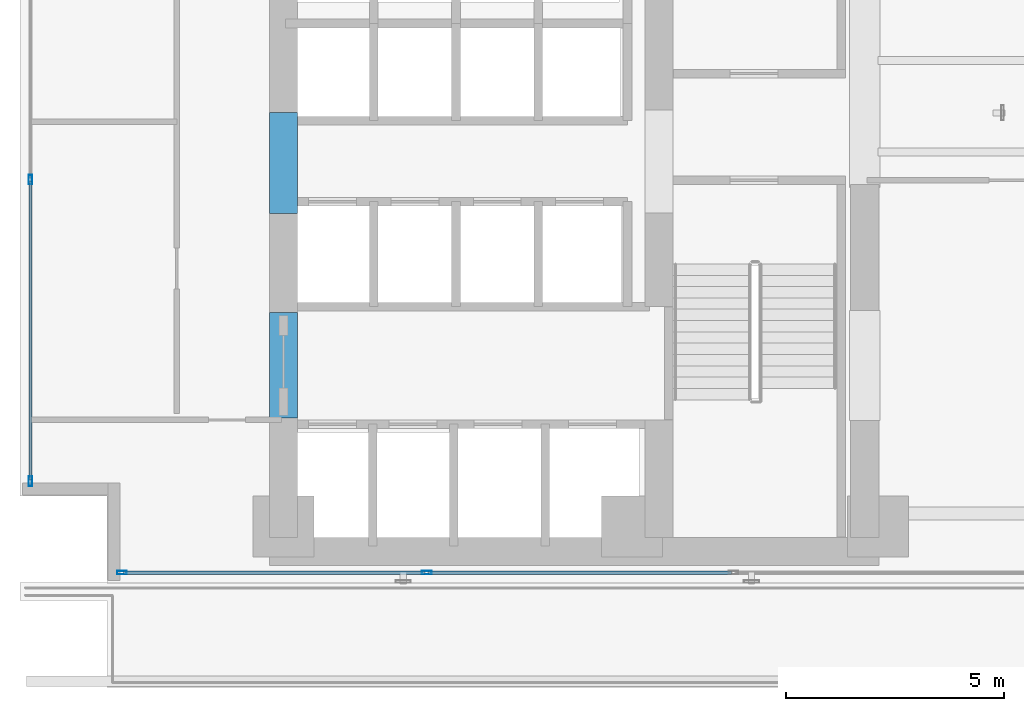
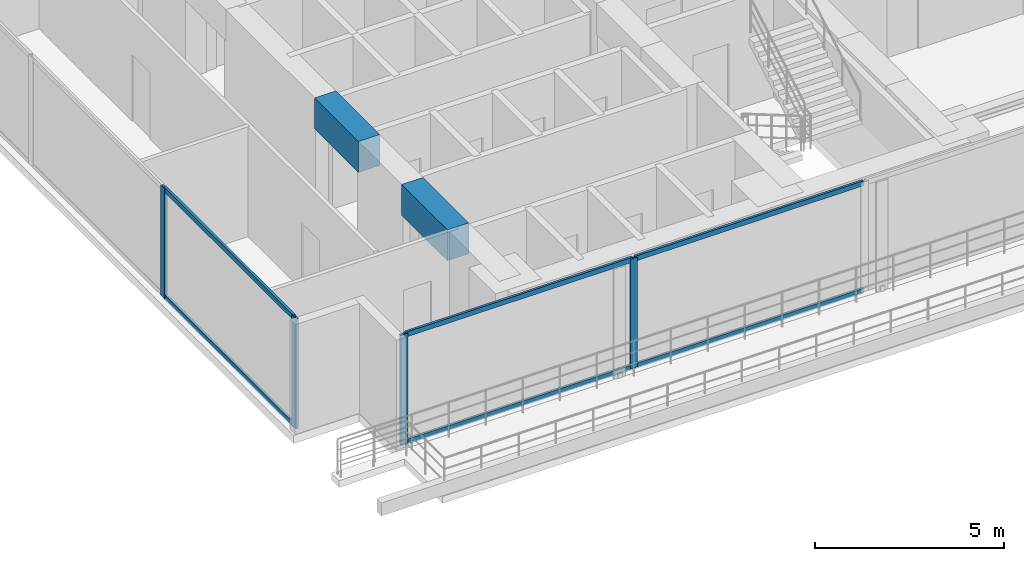
# One storey, part 2 of 26: 10 members, 2 beams, 2 elements without a shape of their own.
"""IFC4 building model written with IfcOpenShell, lengths in metres."""

from ifc_helpers import new_model, si_unit, direction, frame, origin, origin_with_axes, origin_2d, place, context, subcontext, project, spatial, rectangle, hollow_rectangle, extrude, source, transform, mapped, material, layer, layer_set, material_profile, profile_set, type_object, element, aggregate, save


model = new_model("IFC4")

# Units and contexts
model_context = context("Model", 3, precision=1e-05, world=origin(), true_north=direction((0.0, 1.0)))
body_context = subcontext(model_context, "Body", "Model", "MODEL_VIEW")
ifc_project = project(units=[si_unit("LENGTHUNIT", "METRE"), si_unit("AREAUNIT", "SQUARE_METRE"), si_unit("VOLUMEUNIT", "CUBIC_METRE"), si_unit("PLANEANGLEUNIT", "RADIAN"), si_unit("MASSUNIT", "GRAM", prefix="KILO")], contexts=[model_context])

# Site, building, storey
site_placement = place(None, origin())
site = spatial("IfcSite", under=ifc_project, at=site_placement, CompositionType="ELEMENT")
building_placement = place(site_placement, origin())
building = spatial("IfcBuilding", under=site, at=building_placement, Name="Kolvaren Waterfront Exchange", CompositionType="ELEMENT")
storey_placement = place(building_placement, frame((0.0, 0.0, 87.89990234375)))
storey = spatial("IfcBuildingStorey", under=building, at=storey_placement, Name="L22", CompositionType="ELEMENT", Elevation=87.89990234375)

# Beams
ifc_material_1 = material(Name="Concrete C60/75", Category="concrete")
ifc_material_profile_1 = material_profile(ifc_material_1, rectangle(XDim=0.64990234375, YDim=1.0, at=origin_2d()), Name="RC-CB-1000x650")
ifc_profile_set_1 = profile_set([ifc_material_profile_1], Name="Concrete C60/75")
beam_type = type_object("IfcBeamType", Name="STR-CB-1000", PredefinedType="SPANDREL", material=ifc_profile_set_1)
beam_1_placement = place(storey_placement, frame((7.449951171875, 7.389892578125, 3.0400390625), z_axis=(0.0, 1.0, 0.0), x_axis=(-1.0, 0.0, 0.0)))
element("IfcBeam", 1, at=beam_1_placement, inside=storey, type_object=beam_type, Name="L22 core coupling beam 3", PredefinedType="SPANDREL", context=body_context, shape_type="SweptSolid", body=[
    extrude(rectangle(XDim=0.64990234375, YDim=1.0, at=origin_2d()), origin(), (0.0, 0.0, 1.0), 2.420166015625),
])
beam_2_placement = place(storey_placement, frame((7.449951171875, 12.090087890625, 3.0400390625), z_axis=(0.0, 1.0, 0.0), x_axis=(-1.0, 0.0, 0.0)))
element("IfcBeam", 2, at=beam_2_placement, inside=storey, type_object=beam_type, Name="L22 core coupling beam 4", PredefinedType="SPANDREL", context=body_context, shape_type="SweptSolid", body=[
    extrude(rectangle(XDim=0.64990234375, YDim=1.0, at=origin_2d()), origin(), (0.0, 0.0, 1.0), 2.31982421875),
])

# Curtain wall, members
ifc_material_2 = material(Name="Anodised bronze aluminium 6063-T6", Category="aluminium")
ifc_layer_1 = layer(ifc_material_2, 0.219970703125, Name="Anodised bronze aluminium 6063-T6")
ifc_layer_set_1 = layer_set([ifc_layer_1], Name="Anodised bronze aluminium 6063-T6")
curtain_wall_type_1 = type_object("IfcCurtainWallType", Name="ARC-CW-SYS1", PredefinedType="USERDEFINED", material=ifc_layer_set_1)
curtain_wall_1_placement = place(storey_placement, origin())
curtain_wall_1 = element("IfcCurtainWall", 3, at=curtain_wall_1_placement, inside=storey, type_object=curtain_wall_type_1, Name="L22 stick curtain wall CW1 (CW-L22-S-1)", ObjectType="STICK CURTAIN WALL", PredefinedType="USERDEFINED")
ifc_material_3 = material(Name="Anodised aluminium 6063-T6", Category="aluminium")
ifc_material_profile_2 = material_profile(ifc_material_3, hollow_rectangle(XDim=0.080078125, YDim=0.219970703125, WallThickness=0.0048828125, at=origin_2d()), Name="ALU-MUL-220x80x5")
ifc_profile_set_2 = profile_set([ifc_material_profile_2], Name="Anodised aluminium 6063-T6")
member_type_1 = type_object("IfcMemberType", Name="ARC-CWM-220", PredefinedType="MULLION", material=ifc_profile_set_2)
shared_shape_1 = source(origin_with_axes(), body_context, "Body", "SweptSolid", [
    extrude(hollow_rectangle(XDim=0.080078125, YDim=0.219970703125, WallThickness=0.0048828125, at=origin_2d()), origin(), (0.0, 0.0, 1.0), 3.5400390625),
])
member_1_placement = place(storey_placement, frame((3.739990234375, 3.840087890625, 0.0), z_axis=(0.0, 0.0, 1.0), x_axis=(0.0, 1.0, 0.0)))
member_1 = element("IfcMember", 4, at=member_1_placement, type_object=member_type_1, Name="CW1 mullion 1", PredefinedType="MULLION", context=body_context, shape_type="MappedRepresentation", body=[
    mapped(shared_shape_1, transform((0.0, 0.0, 0.0), x_axis=(1.0, 0.0, 0.0), y_axis=(0.0, 1.0, 0.0), z_axis=(0.0, 0.0, 1.0), scale=1.0)),
])
member_2_placement = place(storey_placement, frame((10.739990234375, 3.840087890625, 0.0), z_axis=(0.0, 0.0, 1.0), x_axis=(0.0, 1.0, 0.0)))
member_2 = element("IfcMember", 5, at=member_2_placement, type_object=member_type_1, Name="CW1 mullion 2", PredefinedType="MULLION", context=body_context, shape_type="MappedRepresentation", body=[
    mapped(shared_shape_1, transform((0.0, 0.0, 0.0), x_axis=(1.0, 0.0, 0.0), y_axis=(0.0, 1.0, 0.0), z_axis=(0.0, 0.0, 1.0), scale=1.0)),
])

ifc_layer_2 = layer(ifc_material_3, 0.219970703125, Name="Anodised aluminium 6063-T6")
ifc_layer_set_2 = layer_set([ifc_layer_2], Name="Anodised aluminium 6063-T6")
curtain_wall_type_2 = type_object("IfcCurtainWallType", Name="ARC-CW-SYS2", PredefinedType="USERDEFINED", material=ifc_layer_set_2)
curtain_wall_2_placement = place(storey_placement, origin())
curtain_wall_2 = element("IfcCurtainWall", 6, at=curtain_wall_2_placement, inside=storey, type_object=curtain_wall_type_2, Name="L22 stick curtain wall CW2 (CW-L22-W)", ObjectType="STICK CURTAIN WALL", PredefinedType="USERDEFINED")
member_3_placement = place(storey_placement, frame((1.639892578125, 5.93994140625, 0.0), z_axis=(0.0, 0.0, 1.0), x_axis=(-1.0, 0.0, 0.0)))
member_3 = element("IfcMember", 7, at=member_3_placement, type_object=member_type_1, Name="CW2 mullion 1", PredefinedType="MULLION", context=body_context, shape_type="MappedRepresentation", body=[
    mapped(shared_shape_1, transform((0.0, 0.0, 0.0), x_axis=(1.0, 0.0, 0.0), y_axis=(0.0, 1.0, 0.0), z_axis=(0.0, 0.0, 1.0), scale=1.0)),
])
member_4_placement = place(storey_placement, frame((1.639892578125, 12.86669921875, 0.0), z_axis=(0.0, 0.0, 1.0), x_axis=(-1.0, 0.0, 0.0)))
member_4 = element("IfcMember", 8, at=member_4_placement, type_object=member_type_1, Name="CW2 mullion 2", PredefinedType="MULLION", context=body_context, shape_type="MappedRepresentation", body=[
    mapped(shared_shape_1, transform((0.0, 0.0, 0.0), x_axis=(1.0, 0.0, 0.0), y_axis=(0.0, 1.0, 0.0), z_axis=(0.0, 0.0, 1.0), scale=1.0)),
])

# Member
ifc_material_profile_3 = material_profile(ifc_material_3, hollow_rectangle(XDim=0.074951171875, YDim=0.159912109375, WallThickness=0.00439453125, at=origin_2d()), Name="ALU-TRN-160x75x4.5")
ifc_profile_set_3 = profile_set([ifc_material_profile_3], Name="Anodised aluminium 6063-T6")
member_type_2 = type_object("IfcMemberType", Name="ARC-CWT-160", PredefinedType="USERDEFINED", material=ifc_profile_set_3)
shared_shape_2 = source(origin_with_axes(), body_context, "Body", "SweptSolid", [
    extrude(hollow_rectangle(XDim=0.074951171875, YDim=0.159912109375, WallThickness=0.00439453125, at=origin_2d()), origin(), (0.0, 0.0, 1.0), 6.919921875),
])
member_5_placement = place(storey_placement, frame((3.780029296875, 3.840087890625, 0.03759765625), z_axis=(1.0, 0.0, 0.0), x_axis=(0.0, 1.0, 0.0)))
member_5 = element("IfcMember", 9, at=member_5_placement, type_object=member_type_2, Name="CW1 transom 1.1", ObjectType="TRANSOM", PredefinedType="USERDEFINED", context=body_context, shape_type="MappedRepresentation", body=[
    mapped(shared_shape_2, transform((0.0, 0.0, 0.0), x_axis=(1.0, 0.0, 0.0), y_axis=(0.0, 1.0, 0.0), z_axis=(0.0, 0.0, 1.0), scale=1.0)),
])

member_6_placement = place(storey_placement, frame((3.780029296875, 3.840087890625, 3.502685546875), z_axis=(1.0, 0.0, 0.0), x_axis=(0.0, 1.0, 0.0)))
member_6 = element("IfcMember", 10, at=member_6_placement, type_object=member_type_2, Name="CW1 transom 1.2", ObjectType="TRANSOM", PredefinedType="USERDEFINED", context=body_context, shape_type="MappedRepresentation", body=[
    mapped(shared_shape_2, transform((0.0, 0.0, 0.0), x_axis=(1.0, 0.0, 0.0), y_axis=(0.0, 1.0, 0.0), z_axis=(0.0, 0.0, 1.0), scale=1.0)),
])

shared_shape_3 = source(origin_with_axes(), body_context, "Body", "SweptSolid", [
    extrude(hollow_rectangle(XDim=0.074951171875, YDim=0.159912109375, WallThickness=0.00439453125, at=origin_2d()), origin(), (0.0, 0.0, 1.0), 6.9599609375),
])
member_7_placement = place(storey_placement, frame((10.780029296875, 3.840087890625, 0.03759765625), z_axis=(1.0, 0.0, 0.0), x_axis=(0.0, 1.0, 0.0)))
member_7 = element("IfcMember", 11, at=member_7_placement, type_object=member_type_2, Name="CW1 transom 2.1", ObjectType="TRANSOM", PredefinedType="USERDEFINED", context=body_context, shape_type="MappedRepresentation", body=[
    mapped(shared_shape_3, transform((0.0, 0.0, 0.0), x_axis=(1.0, 0.0, 0.0), y_axis=(0.0, 1.0, 0.0), z_axis=(0.0, 0.0, 1.0), scale=1.0)),
])

member_8_placement = place(storey_placement, frame((10.780029296875, 3.840087890625, 3.502685546875), z_axis=(1.0, 0.0, 0.0), x_axis=(0.0, 1.0, 0.0)))
member_8 = element("IfcMember", 12, at=member_8_placement, type_object=member_type_2, Name="CW1 transom 2.2", ObjectType="TRANSOM", PredefinedType="USERDEFINED", context=body_context, shape_type="MappedRepresentation", body=[
    mapped(shared_shape_3, transform((0.0, 0.0, 0.0), x_axis=(1.0, 0.0, 0.0), y_axis=(0.0, 1.0, 0.0), z_axis=(0.0, 0.0, 1.0), scale=1.0)),
])

aggregate(curtain_wall_1, [member_1, member_2, member_5, member_6, member_7, member_8])

shared_shape_4 = source(origin_with_axes(), body_context, "Body", "SweptSolid", [
    extrude(hollow_rectangle(XDim=0.074951171875, YDim=0.159912109375, WallThickness=0.00439453125, at=origin_2d()), origin(), (0.0, 0.0, 1.0), 6.8466796875),
])
member_9_placement = place(storey_placement, frame((1.639892578125, 5.97998046875, 0.03759765625), z_axis=(0.0, 1.0, 0.0), x_axis=(-1.0, 0.0, 0.0)))
member_9 = element("IfcMember", 13, at=member_9_placement, type_object=member_type_2, Name="CW2 transom 1.1", ObjectType="TRANSOM", PredefinedType="USERDEFINED", context=body_context, shape_type="MappedRepresentation", body=[
    mapped(shared_shape_4, transform((0.0, 0.0, 0.0), x_axis=(1.0, 0.0, 0.0), y_axis=(0.0, 1.0, 0.0), z_axis=(0.0, 0.0, 1.0), scale=1.0)),
])

member_10_placement = place(storey_placement, frame((1.639892578125, 5.97998046875, 3.502685546875), z_axis=(0.0, 1.0, 0.0), x_axis=(-1.0, 0.0, 0.0)))
member_10 = element("IfcMember", 14, at=member_10_placement, type_object=member_type_2, Name="CW2 transom 1.2", ObjectType="TRANSOM", PredefinedType="USERDEFINED", context=body_context, shape_type="MappedRepresentation", body=[
    mapped(shared_shape_4, transform((0.0, 0.0, 0.0), x_axis=(1.0, 0.0, 0.0), y_axis=(0.0, 1.0, 0.0), z_axis=(0.0, 0.0, 1.0), scale=1.0)),
])

aggregate(curtain_wall_2, [member_3, member_4, member_9, member_10])

save(model, "model.ifc")
